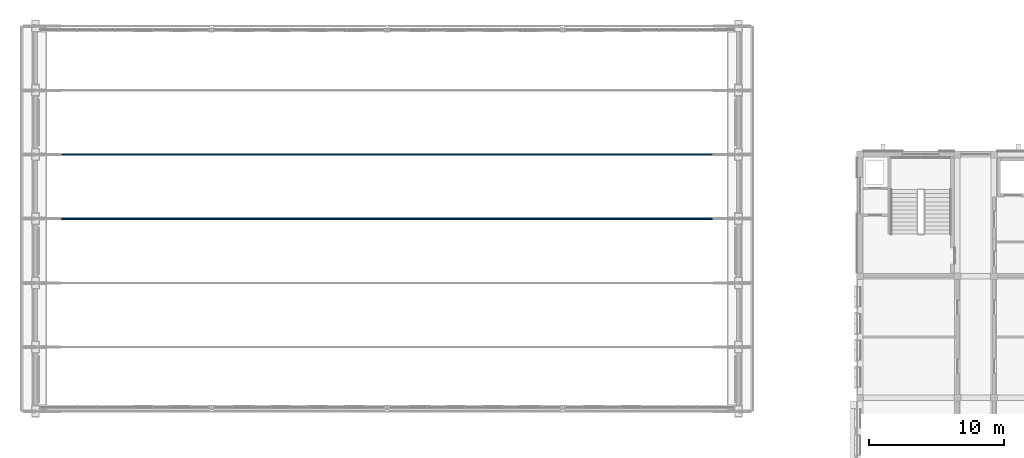
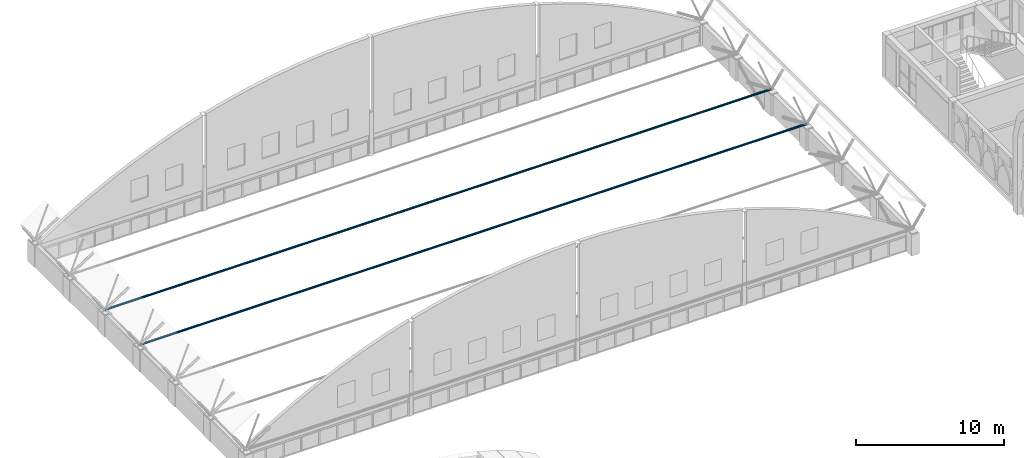
# One storey, part 15 of 65: 2 members.
"""IFC4 building model written with IfcOpenShell, lengths in metres."""

from ifc_helpers import new_model, si_unit, direction, frame, origin, origin_2d, place, context, subcontext, project, spatial, hollow_circle, extrude, material, material_profile, profile_set, type_object, element, save


model = new_model("IFC4")

# Units and contexts
model_context = context("Model", 3, precision=1e-05, world=origin(), true_north=direction((0.0, 1.0)))
body_context = subcontext(model_context, "Body", "Model", "MODEL_VIEW")
ifc_project = project(units=[si_unit("LENGTHUNIT", "METRE"), si_unit("AREAUNIT", "SQUARE_METRE"), si_unit("VOLUMEUNIT", "CUBIC_METRE"), si_unit("PLANEANGLEUNIT", "RADIAN"), si_unit("MASSUNIT", "GRAM", prefix="KILO")], contexts=[model_context])

# Site, building, storey
site_placement = place(None, origin())
site = spatial("IfcSite", under=ifc_project, at=site_placement, CompositionType="ELEMENT")
building_placement = place(site_placement, origin())
building = spatial("IfcBuilding", under=site, at=building_placement, Name="Elbe Cascade School", CompositionType="ELEMENT")
storey_placement = place(building_placement, frame((0.0, 0.0, 11.699951171875)))
storey = spatial("IfcBuildingStorey", under=building, at=storey_placement, Name="L03", CompositionType="ELEMENT", Elevation=11.699951171875)

# Members
ifc_material = material(Name="Steel S355J2H", Category="steel")
ifc_material_profile = material_profile(ifc_material, hollow_circle(Radius=0.084228515625, WallThickness=0.010009765625, at=origin_2d()), Name="CHS 168.3x10")
ifc_profile_set = profile_set([ifc_material_profile], Name="Steel S355J2H")
member_type = type_object("IfcMemberType", Name="Hall rib tie CHS 168.3x10", PredefinedType="MEMBER", material=ifc_profile_set)
for number, where, z_axis, x_axis, name in (
    (1, (8.0, 55.25, 1.89208984375), (1.0, 0.0, 0.0), (0.0, 1.0, 0.0), "Hall rib tie CHS 168.3x10 M6"),
    (2, (8.0, 60.0, 1.89208984375), (1.0, 0.0, 0.0), (0.0, 1.0, 0.0), "Hall rib tie CHS 168.3x10 M6"),
):
    element("IfcMember", number, at=place(storey_placement, frame(where, z_axis=z_axis, x_axis=x_axis)), inside=storey, type_object=member_type, Name=name, PredefinedType="MEMBER", context=body_context, shape_type="SweptSolid", body=[
        extrude(hollow_circle(Radius=0.084228515625, WallThickness=0.010009765625, at=origin_2d()), origin(), (0.0, 0.0, 1.0), 52.0),
    ])

save(model, "model.ifc")
